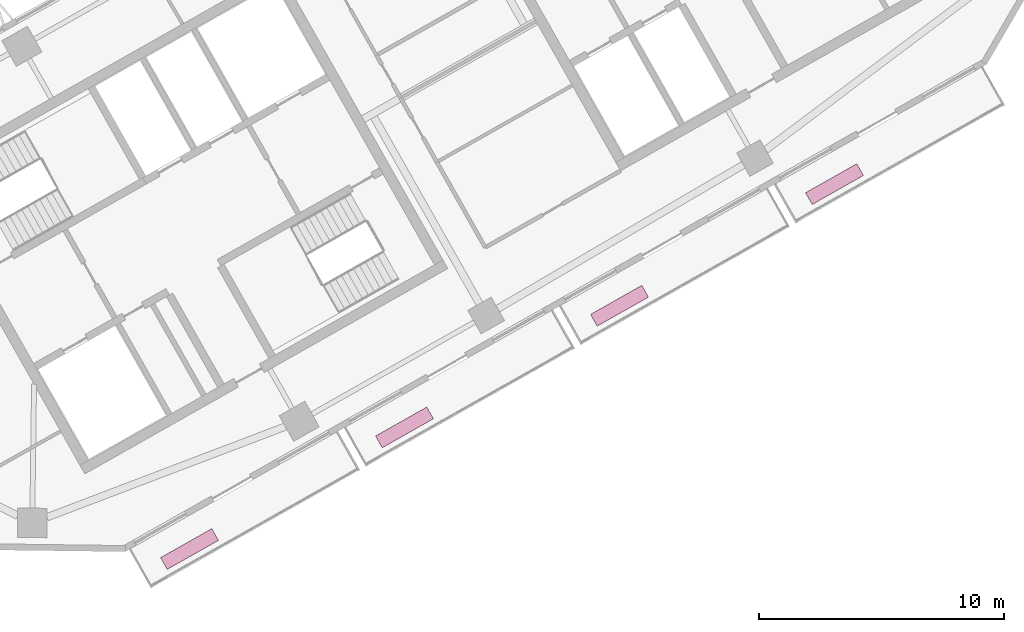
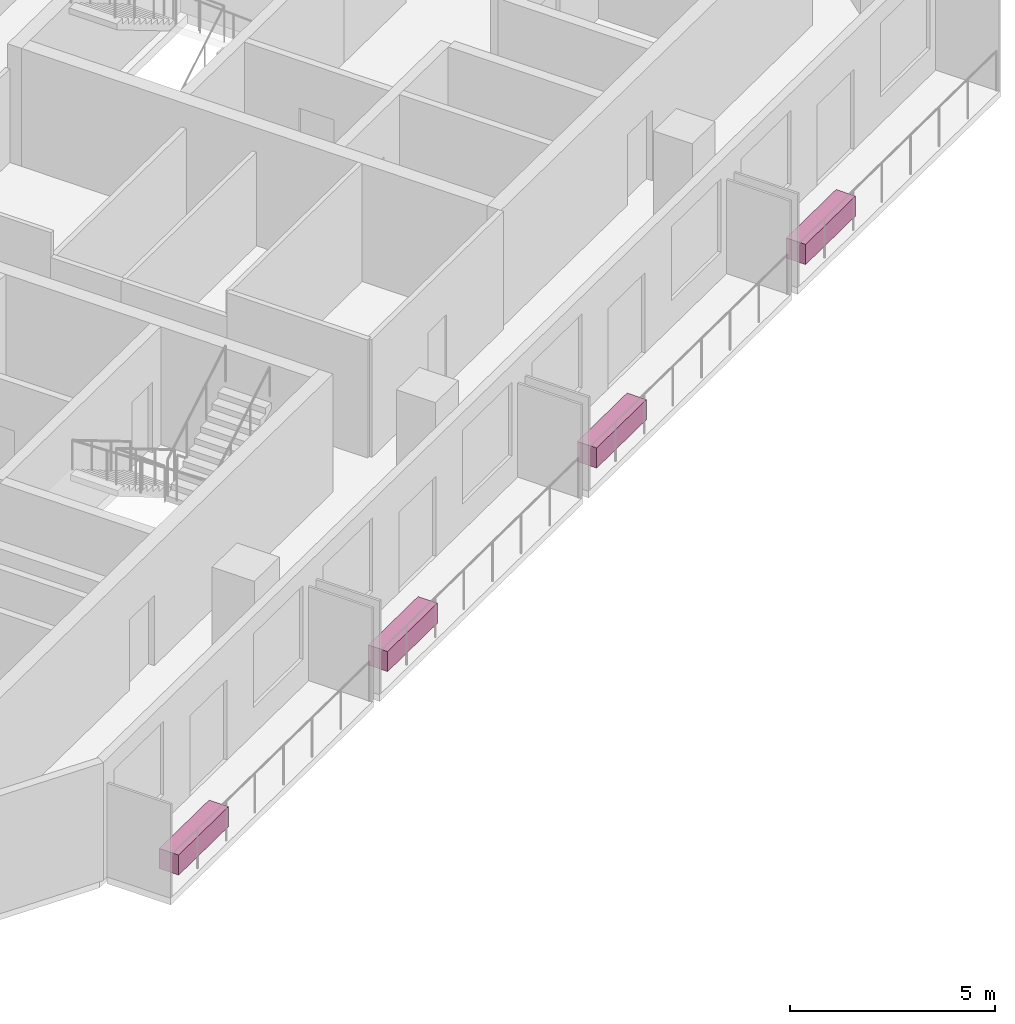
# One storey, part 8 of 8: 4 furnishings.
"""IFC4 building model written with IfcOpenShell, lengths in metres."""

from ifc_helpers import new_model, si_unit, direction, frame, origin, origin_2d, place, context, subcontext, project, spatial, rectangle, extrude, material, type_object, element, save


model = new_model("IFC4")

# Units and contexts
model_context = context("Model", 3, precision=1e-05, world=origin(), true_north=direction((0.0, 1.0)))
body_context = subcontext(model_context, "Body", "Model", "MODEL_VIEW")
ifc_project = project(units=[si_unit("LENGTHUNIT", "METRE"), si_unit("AREAUNIT", "SQUARE_METRE"), si_unit("VOLUMEUNIT", "CUBIC_METRE"), si_unit("PLANEANGLEUNIT", "RADIAN"), si_unit("MASSUNIT", "GRAM", prefix="KILO")], contexts=[model_context])

# Site, building, storey
site_placement = place(None, origin())
site = spatial("IfcSite", under=ifc_project, at=site_placement, CompositionType="ELEMENT")
building_placement = place(site_placement, origin())
building = spatial("IfcBuilding", under=site, at=building_placement, Name="Binnacle Exchange Tower", CompositionType="ELEMENT")
storey_placement = place(building_placement, frame((0.0, 0.0, 277.89990234375)))
storey = spatial("IfcBuildingStorey", under=building, at=storey_placement, Name="L62", CompositionType="ELEMENT", Elevation=277.89990234375)

# Furnishings
ifc_material = material(Name="Concrete C35/45", Category="concrete")
furnishing_element_type = type_object("IfcFurnishingElementType", Name="PLANTER 2400x550x600", material=ifc_material)
for number, where, z_axis, x_axis, name in (
    (1, (-35.44677734375, 26.428466796875, 0.0), (0.0, 0.0, 1.0), (0.87035569594, 0.492423560103, 0.0), "Planter H07-B00a L62"),
    (2, (-26.683837890625, 31.38623046875, 0.0), (0.0, 0.0, 1.0), (0.87035569594, 0.492423560103, 0.0), "Planter H07-B01a L62"),
    (3, (-17.9208984375, 36.34423828125, 0.0), (0.0, 0.0, 1.0), (0.87035569594, 0.492423560103, 0.0), "Planter H07-B02a L62"),
    (4, (-9.158203125, 41.302001953125, 0.0), (0.0, 0.0, 1.0), (0.87035569594, 0.492423560103, 0.0), "Planter H07-B03a L62"),
):
    element("IfcFurnishingElement", number, at=place(storey_placement, frame(where, z_axis=z_axis, x_axis=x_axis)), inside=storey, type_object=furnishing_element_type, Name=name, ObjectType="PLANTER", context=body_context, shape_type="SweptSolid", body=[
        extrude(rectangle(XDim=2.39990234375, YDim=0.550048828125, at=origin_2d()), origin(), (0.0, 0.0, 1.0), 0.60009765625),
    ])

save(model, "model.ifc")
